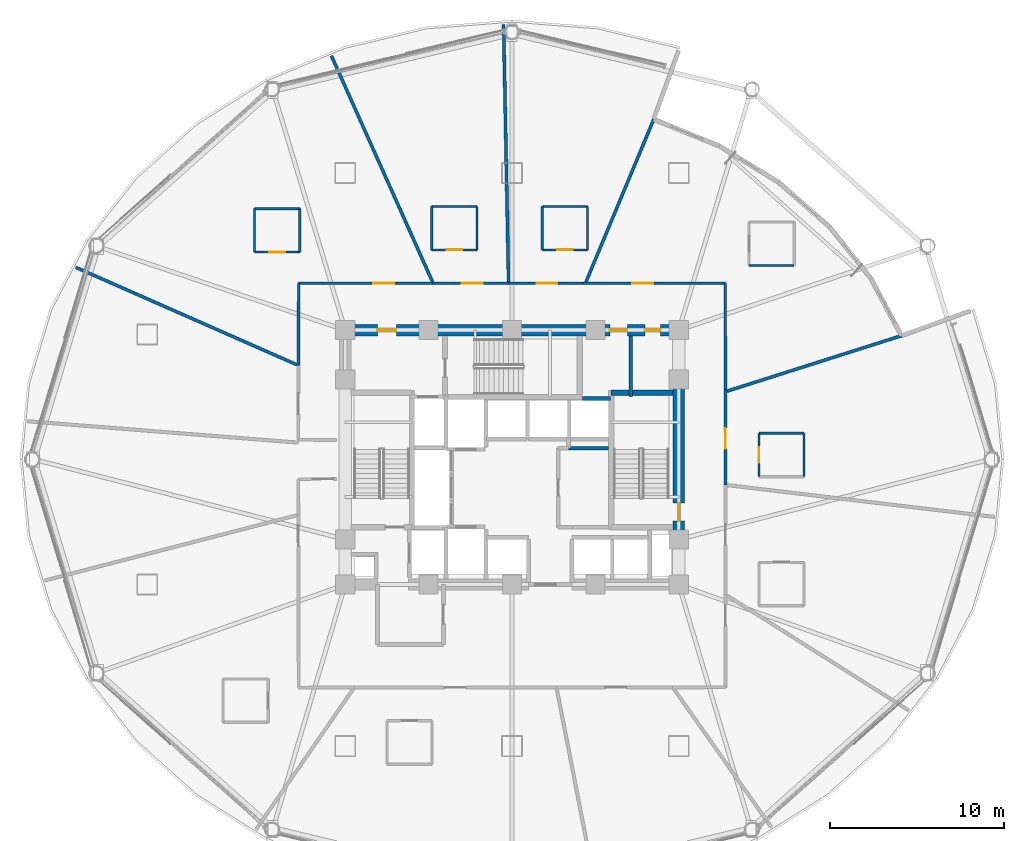
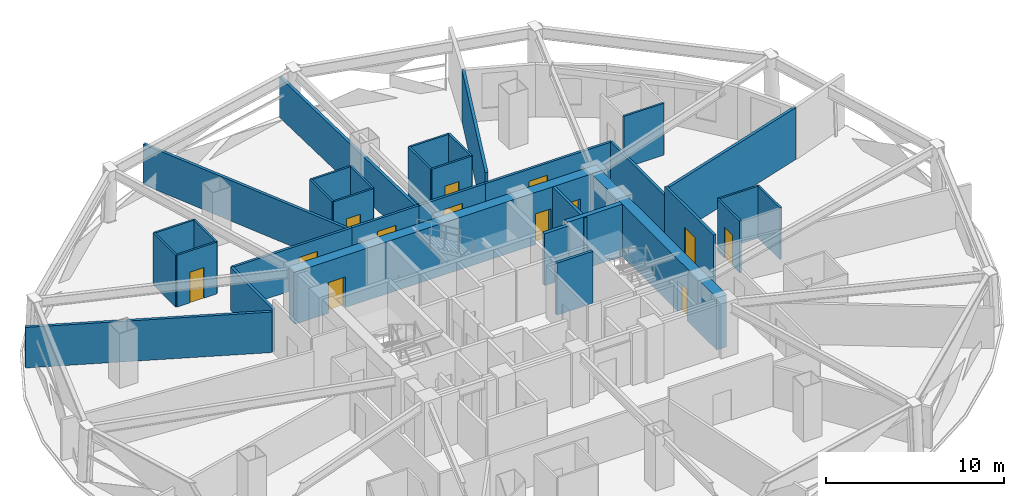
# One storey, part 10 of 16: 34 walls, 13 doors, 13 openings.
"""IFC4 building model written with IfcOpenShell, lengths in metres."""

from ifc_helpers import new_model, si_unit, direction, frame, frame_2d, origin, place, context, subcontext, project, spatial, rectangle, extrude, material, layer, layer_set, type_object, element, fill, save


model = new_model("IFC4")

# Units and contexts
model_context = context("Model", 3, precision=1e-05, world=origin(), true_north=direction((0.0, 1.0)))
body_context = subcontext(model_context, "Body", "Model", "MODEL_VIEW")
ifc_project = project(units=[si_unit("LENGTHUNIT", "METRE"), si_unit("AREAUNIT", "SQUARE_METRE"), si_unit("VOLUMEUNIT", "CUBIC_METRE"), si_unit("PLANEANGLEUNIT", "RADIAN"), si_unit("MASSUNIT", "GRAM", prefix="KILO")], contexts=[model_context])

# Site, building, storey
site_placement = place(None, origin())
site = spatial("IfcSite", under=ifc_project, at=site_placement, CompositionType="ELEMENT")
building_placement = place(site_placement, origin())
building = spatial("IfcBuilding", under=site, at=building_placement, Name="Vantalir Tower", CompositionType="ELEMENT")
storey_placement = place(building_placement, frame((0.0, 0.0, 75.75)))
storey = spatial("IfcBuildingStorey", under=building, at=storey_placement, Name="L18", CompositionType="ELEMENT", Elevation=75.75)

# Wall
ifc_material_1 = material(Name="Moisture-resistant en-suite partition", Category="gypsum")
ifc_layer_1 = layer(ifc_material_1, 0.125)
ifc_layer_set_1 = layer_set([ifc_layer_1], Name="Moisture-resistant en-suite partition")
wall_type_1 = type_object("IfcWallType", Name="WL-BATH-125", PredefinedType="PARTITIONING", material=ifc_layer_set_1)
wall_1_placement = place(storey_placement, frame((45.14892578125, 36.1669921875, 0.0), z_axis=(0.0, 0.0, 1.0), x_axis=(1.0, 0.0, 0.0)))
element("IfcWall", 1, at=wall_1_placement, inside=storey, type_object=wall_type_1, Name="L18 En-suite 01 South Wall", PredefinedType="PARTITIONING", context=body_context, shape_type="SweptSolid", body=[
    extrude(rectangle(XDim=2.60009765625, YDim=0.125, at=frame_2d((1.300048828125, 0.0))), origin(), (0.0, 0.0, 1.0), 3.550048828125),
])

# Wall, opening, door
wall_2_placement = place(storey_placement, frame((33.243896484375, 37.069091796875, 0.0), z_axis=(0.0, 0.0, 1.0), x_axis=(1.0, 0.0, 0.0)))
wall_2 = element("IfcWall", 2, at=wall_2_placement, inside=storey, type_object=wall_type_1, Name="L18 En-suite 02 South Wall", PredefinedType="PARTITIONING", context=body_context, shape_type="SweptSolid", body=[
    extrude(rectangle(XDim=2.60009765625, YDim=0.125, at=frame_2d((1.300048828125, 0.0))), origin(), (0.0, 0.0, 1.0), 3.550048828125),
])
opening_1_placement = place(wall_2_placement, frame((0.85009765625, 0.0, 0.0)))
opening_1 = element("IfcOpeningElement", 3, at=opening_1_placement, cuts=wall_2, Name="Opening D-WC", PredefinedType="OPENING", context=body_context, shape_type="SweptSolid", body=[
    extrude(rectangle(XDim=0.89990234375, YDim=2.10009765625, at=frame_2d((0.449951171875, 1.050048828125))), frame((0.0, 0.072509765625, 0.0), z_axis=(0.0, -1.0, 0.0), x_axis=(1.0, 0.0, 0.0)), (0.0, 0.0, 1.0), 0.14501953125),
])
ifc_material_2 = material(Name="Moisture-resistant hardwood door", Category="wood")
door_type_1 = type_object("IfcDoorType", Name="DR-ENSUITE-900", OperationType="NOTDEFINED", PredefinedType="DOOR", material=ifc_material_2)
door_1_placement = place(opening_1_placement, origin())
door_1 = element("IfcDoor", 4, at=door_1_placement, inside=storey, type_object=door_type_1, Name="L18 En-suite 02 Door", OperationType="SINGLE_SWING_LEFT", OverallHeight=2.10009765625, OverallWidth=0.89990234375, PredefinedType="DOOR", context=body_context, shape_type="SweptSolid", body=[
    extrude(rectangle(XDim=0.89990234375, YDim=2.10009765625, at=frame_2d((0.449951171875, 1.050048828125))), frame((0.0, 0.02490234375, 0.0), z_axis=(0.0, -1.0, 0.0), x_axis=(1.0, 0.0, 0.0)), (0.0, 0.0, 1.0), 0.050048828125),
])
fill(opening_1, door_1)

# Walls
wall_3_placement = place(storey_placement, frame((33.243896484375, 39.569091796875, 0.0), z_axis=(0.0, 0.0, 1.0), x_axis=(1.0, 0.0, 0.0)))
element("IfcWall", 5, at=wall_3_placement, inside=storey, type_object=wall_type_1, Name="L18 En-suite 02 North Wall", PredefinedType="PARTITIONING", context=body_context, shape_type="SweptSolid", body=[
    extrude(rectangle(XDim=2.60009765625, YDim=0.125, at=frame_2d((1.300048828125, 0.0))), origin(), (0.0, 0.0, 1.0), 3.550048828125),
])
for number, where, z_axis, x_axis, name in (
    (6, (33.243896484375, 37.069091796875, 0.0), (0.0, 0.0, 1.0), (0.0, 1.0, 0.0), "L18 En-suite 02 West Wall"),
    (7, (35.843994140625, 37.069091796875, 0.0), (0.0, 0.0, 1.0), (0.0, 1.0, 0.0), "L18 En-suite 02 East Wall"),
):
    element("IfcWall", number, at=place(storey_placement, frame(where, z_axis=z_axis, x_axis=x_axis)), inside=storey, type_object=wall_type_1, Name=name, PredefinedType="PARTITIONING", context=body_context, shape_type="SweptSolid", body=[
        extrude(rectangle(XDim=2.5, YDim=0.125, at=frame_2d((1.25, 0.0))), origin(), (0.0, 0.0, 1.0), 3.550048828125),
    ])

# Wall, opening, door
wall_4_placement = place(storey_placement, frame((26.8798828125, 37.069091796875, 0.0), z_axis=(0.0, 0.0, 1.0), x_axis=(1.0, 0.0, 0.0)))
wall_4 = element("IfcWall", 8, at=wall_4_placement, inside=storey, type_object=wall_type_1, Name="L18 En-suite 03 South Wall", PredefinedType="PARTITIONING", context=body_context, shape_type="SweptSolid", body=[
    extrude(rectangle(XDim=2.60009765625, YDim=0.125, at=frame_2d((1.300048828125, 0.0))), origin(), (0.0, 0.0, 1.0), 3.550048828125),
])
opening_2_placement = place(wall_4_placement, frame((0.85009765625, 0.0, 0.0)))
opening_2 = element("IfcOpeningElement", 9, at=opening_2_placement, cuts=wall_4, Name="Opening D-WC", PredefinedType="OPENING", context=body_context, shape_type="SweptSolid", body=[
    extrude(rectangle(XDim=0.89990234375, YDim=2.10009765625, at=frame_2d((0.449951171875, 1.050048828125))), frame((0.0, 0.072509765625, 0.0), z_axis=(0.0, -1.0, 0.0), x_axis=(1.0, 0.0, 0.0)), (0.0, 0.0, 1.0), 0.14501953125),
])
door_2_placement = place(opening_2_placement, origin())
door_2 = element("IfcDoor", 10, at=door_2_placement, inside=storey, type_object=door_type_1, Name="L18 En-suite 03 Door", OperationType="SINGLE_SWING_RIGHT", OverallHeight=2.10009765625, OverallWidth=0.89990234375, PredefinedType="DOOR", context=body_context, shape_type="SweptSolid", body=[
    extrude(rectangle(XDim=0.89990234375, YDim=2.10009765625, at=frame_2d((0.449951171875, 1.050048828125))), frame((0.0, 0.02490234375, 0.0), z_axis=(0.0, -1.0, 0.0), x_axis=(1.0, 0.0, 0.0)), (0.0, 0.0, 1.0), 0.050048828125),
])
fill(opening_2, door_2)

# Walls
wall_5_placement = place(storey_placement, frame((26.8798828125, 39.569091796875, 0.0), z_axis=(0.0, 0.0, 1.0), x_axis=(1.0, 0.0, 0.0)))
element("IfcWall", 11, at=wall_5_placement, inside=storey, type_object=wall_type_1, Name="L18 En-suite 03 North Wall", PredefinedType="PARTITIONING", context=body_context, shape_type="SweptSolid", body=[
    extrude(rectangle(XDim=2.60009765625, YDim=0.125, at=frame_2d((1.300048828125, 0.0))), origin(), (0.0, 0.0, 1.0), 3.550048828125),
])
for number, where, z_axis, x_axis, name in (
    (12, (26.8798828125, 37.069091796875, 0.0), (0.0, 0.0, 1.0), (0.0, 1.0, 0.0), "L18 En-suite 03 West Wall"),
    (13, (29.47998046875, 37.069091796875, 0.0), (0.0, 0.0, 1.0), (0.0, 1.0, 0.0), "L18 En-suite 03 East Wall"),
):
    element("IfcWall", number, at=place(storey_placement, frame(where, z_axis=z_axis, x_axis=x_axis)), inside=storey, type_object=wall_type_1, Name=name, PredefinedType="PARTITIONING", context=body_context, shape_type="SweptSolid", body=[
        extrude(rectangle(XDim=2.5, YDim=0.125, at=frame_2d((1.25, 0.0))), origin(), (0.0, 0.0, 1.0), 3.550048828125),
    ])

# Wall, opening, door
wall_6_placement = place(storey_placement, frame((16.681884765625, 36.93896484375, 0.0), z_axis=(0.0, 0.0, 1.0), x_axis=(1.0, 0.0, 0.0)))
wall_6 = element("IfcWall", 14, at=wall_6_placement, inside=storey, type_object=wall_type_1, Name="L18 En-suite 04 South Wall", PredefinedType="PARTITIONING", context=body_context, shape_type="SweptSolid", body=[
    extrude(rectangle(XDim=2.60009765625, YDim=0.125, at=frame_2d((1.300048828125, 0.0))), origin(), (0.0, 0.0, 1.0), 3.550048828125),
])
opening_3_placement = place(wall_6_placement, frame((0.85009765625, 0.0, 0.0)))
opening_3 = element("IfcOpeningElement", 15, at=opening_3_placement, cuts=wall_6, Name="Opening D-WC", PredefinedType="OPENING", context=body_context, shape_type="SweptSolid", body=[
    extrude(rectangle(XDim=0.89990234375, YDim=2.10009765625, at=frame_2d((0.449951171875, 1.050048828125))), frame((0.0, 0.072509765625, 0.0), z_axis=(0.0, -1.0, 0.0), x_axis=(1.0, 0.0, 0.0)), (0.0, 0.0, 1.0), 0.14501953125),
])
door_3_placement = place(opening_3_placement, origin())
door_3 = element("IfcDoor", 16, at=door_3_placement, inside=storey, type_object=door_type_1, Name="L18 En-suite 04 Door", OperationType="SINGLE_SWING_LEFT", OverallHeight=2.10009765625, OverallWidth=0.89990234375, PredefinedType="DOOR", context=body_context, shape_type="SweptSolid", body=[
    extrude(rectangle(XDim=0.89990234375, YDim=2.10009765625, at=frame_2d((0.449951171875, 1.050048828125))), frame((0.0, 0.02490234375, 0.0), z_axis=(0.0, -1.0, 0.0), x_axis=(1.0, 0.0, 0.0)), (0.0, 0.0, 1.0), 0.050048828125),
])
fill(opening_3, door_3)

# Walls
wall_7_placement = place(storey_placement, frame((16.681884765625, 39.43896484375, 0.0), z_axis=(0.0, 0.0, 1.0), x_axis=(1.0, 0.0, 0.0)))
element("IfcWall", 17, at=wall_7_placement, inside=storey, type_object=wall_type_1, Name="L18 En-suite 04 North Wall", PredefinedType="PARTITIONING", context=body_context, shape_type="SweptSolid", body=[
    extrude(rectangle(XDim=2.60009765625, YDim=0.125, at=frame_2d((1.300048828125, 0.0))), origin(), (0.0, 0.0, 1.0), 3.550048828125),
])
for number, where, z_axis, x_axis, name in (
    (18, (16.681884765625, 36.93896484375, 0.0), (0.0, 0.0, 1.0), (0.0, 1.0, 0.0), "L18 En-suite 04 West Wall"),
    (19, (19.281982421875, 36.93896484375, 0.0), (0.0, 0.0, 1.0), (0.0, 1.0, 0.0), "L18 En-suite 04 East Wall"),
):
    element("IfcWall", number, at=place(storey_placement, frame(where, z_axis=z_axis, x_axis=x_axis)), inside=storey, type_object=wall_type_1, Name=name, PredefinedType="PARTITIONING", context=body_context, shape_type="SweptSolid", body=[
        extrude(rectangle(XDim=2.5, YDim=0.125, at=frame_2d((1.25, 0.0))), origin(), (0.0, 0.0, 1.0), 3.550048828125),
    ])
wall_8_placement = place(storey_placement, frame((45.717041015625, 26.510986328125, 0.0), z_axis=(0.0, 0.0, 1.0), x_axis=(1.0, 0.0, 0.0)))
element("IfcWall", 20, at=wall_8_placement, inside=storey, type_object=wall_type_1, Name="L18 En-suite 12 North Wall", PredefinedType="PARTITIONING", context=body_context, shape_type="SweptSolid", body=[
    extrude(rectangle(XDim=2.599853515625, YDim=0.125, at=frame_2d((1.2998046875, 0.0))), origin(), (0.0, 0.0, 1.0), 3.550048828125),
])

# Wall, opening, door
wall_9_placement = place(storey_placement, frame((45.717041015625, 24.010986328125, 0.0), z_axis=(0.0, 0.0, 1.0), x_axis=(0.0, 1.0, 0.0)))
wall_9 = element("IfcWall", 21, at=wall_9_placement, inside=storey, type_object=wall_type_1, Name="L18 En-suite 12 West Wall", PredefinedType="PARTITIONING", context=body_context, shape_type="SweptSolid", body=[
    extrude(rectangle(XDim=2.5, YDim=0.125, at=frame_2d((1.25, 0.0))), origin(), (0.0, 0.0, 1.0), 3.550048828125),
])
opening_4_placement = place(wall_9_placement, frame((0.800048828125, 0.0, 0.0)))
opening_4 = element("IfcOpeningElement", 22, at=opening_4_placement, cuts=wall_9, Name="Opening D-WC", PredefinedType="OPENING", context=body_context, shape_type="SweptSolid", body=[
    extrude(rectangle(XDim=0.89990234375, YDim=2.10009765625, at=frame_2d((0.449951171875, 1.050048828125))), frame((0.0, 0.072509765625, 0.0), z_axis=(0.0, -1.0, 0.0), x_axis=(1.0, 0.0, 0.0)), (0.0, 0.0, 1.0), 0.14501953125),
])
door_4_placement = place(opening_4_placement, frame((0.89990234375, 0.0, 0.0), z_axis=(0.0, 0.0, 1.0), x_axis=(-1.0, 0.0, 0.0)))
door_4 = element("IfcDoor", 23, at=door_4_placement, inside=storey, type_object=door_type_1, Name="L18 En-suite 12 Door", OperationType="SINGLE_SWING_LEFT", OverallHeight=2.10009765625, OverallWidth=0.89990234375, PredefinedType="DOOR", context=body_context, shape_type="SweptSolid", body=[
    extrude(rectangle(XDim=0.89990234375, YDim=2.10009765625, at=frame_2d((0.449951171875, 1.050048828125))), frame((0.0, 0.02490234375, 0.0), z_axis=(0.0, -1.0, 0.0), x_axis=(1.0, 0.0, 0.0)), (0.0, 0.0, 1.0), 0.050048828125),
])
fill(opening_4, door_4)

# Wall
wall_10_placement = place(storey_placement, frame((48.31689453125, 24.010986328125, 0.0), z_axis=(0.0, 0.0, 1.0), x_axis=(0.0, 1.0, 0.0)))
element("IfcWall", 24, at=wall_10_placement, inside=storey, type_object=wall_type_1, Name="L18 En-suite 12 East Wall", PredefinedType="PARTITIONING", context=body_context, shape_type="SweptSolid", body=[
    extrude(rectangle(XDim=2.5, YDim=0.125, at=frame_2d((1.25, 0.0))), origin(), (0.0, 0.0, 1.0), 3.550048828125),
])

# Wall, openings, doors
ifc_material_3 = material(Name="Concrete C60/75", Category="concrete")
ifc_layer_2 = layer(ifc_material_3, 0.64990234375)
ifc_layer_set_2 = layer_set([ifc_layer_2], Name="Concrete C60/75")
wall_type_2 = type_object("IfcWallType", Name="WL-CORE-650", PredefinedType="SHEAR", material=ifc_layer_set_2)
wall_11_placement = place(storey_placement, frame((21.574951171875, 32.449951171875, 0.0), z_axis=(0.0, 0.0, 1.0), x_axis=(1.0, 0.0, 0.0)))
wall_11 = element("IfcWall", 25, at=wall_11_placement, inside=storey, type_object=wall_type_2, Name="L18 Core Shear Wall North", PredefinedType="SHEAR", context=body_context, shape_type="SweptSolid", body=[
    extrude(rectangle(XDim=19.85009765625, YDim=0.64990234375, at=frame_2d((9.925048828125, 0.0))), origin(), (0.0, 0.0, 1.0), 3.570068359375),
])
opening_5_placement = place(wall_11_placement, frame((2.175048828125, 0.0, 0.0)))
opening_5 = element("IfcOpeningElement", 26, at=opening_5_placement, cuts=wall_11, Name="Opening D-FFL", PredefinedType="OPENING", context=body_context, shape_type="SweptSolid", body=[
    extrude(rectangle(XDim=1.10009765625, YDim=2.10009765625, at=frame_2d((0.550048828125, 1.050048828125))), frame((0.0, 0.3349609375, 0.0), z_axis=(0.0, -1.0, 0.0), x_axis=(1.0, 0.0, 0.0)), (0.0, 0.0, 1.0), 0.669921875),
])
opening_6_placement = place(wall_11_placement, frame((15.56494140625, 0.0, 0.0)))
opening_6 = element("IfcOpeningElement", 27, at=opening_6_placement, cuts=wall_11, Name="Opening D-GUEST", PredefinedType="OPENING", context=body_context, shape_type="SweptSolid", body=[
    extrude(rectangle(XDim=1.0, YDim=2.10009765625, at=frame_2d((0.5, 1.050048828125))), frame((0.0, 0.3349609375, 0.0), z_axis=(0.0, -1.0, 0.0), x_axis=(1.0, 0.0, 0.0)), (0.0, 0.0, 1.0), 0.669921875),
])
opening_7_placement = place(wall_11_placement, frame((17.574951171875, 0.0, 0.0)))
opening_7 = element("IfcOpeningElement", 28, at=opening_7_placement, cuts=wall_11, Name="Opening D-CR", PredefinedType="OPENING", context=body_context, shape_type="SweptSolid", body=[
    extrude(rectangle(XDim=0.89990234375, YDim=2.10009765625, at=frame_2d((0.449951171875, 1.050048828125))), frame((0.0, 0.3349609375, 0.0), z_axis=(0.0, -1.0, 0.0), x_axis=(1.0, 0.0, 0.0)), (0.0, 0.0, 1.0), 0.669921875),
])
ifc_material_4 = material(Name="Fire-rated steel core service door", Category="steel")
door_type_2 = type_object("IfcDoorType", Name="DR-CORE-SERV-900", OperationType="NOTDEFINED", PredefinedType="DOOR", material=ifc_material_4)
door_5_placement = place(opening_7_placement, frame((0.89990234375, 0.0, 0.0), z_axis=(0.0, 0.0, 1.0), x_axis=(-1.0, 0.0, 0.0)))
door_5 = element("IfcDoor", 29, at=door_5_placement, inside=storey, type_object=door_type_2, Name="L18 Housekeeping and Linen Room Door", OperationType="SINGLE_SWING_RIGHT", OverallHeight=2.10009765625, OverallWidth=0.89990234375, PredefinedType="DOOR", context=body_context, shape_type="SweptSolid", body=[
    extrude(rectangle(XDim=0.89990234375, YDim=2.10009765625, at=frame_2d((0.449951171875, 1.050048828125))), frame((0.0, 0.02490234375, 0.0), z_axis=(0.0, -1.0, 0.0), x_axis=(1.0, 0.0, 0.0)), (0.0, 0.0, 1.0), 0.050048828125),
])
fill(opening_7, door_5)
ifc_material_5 = material(Name="Fire-rated acoustic steel door", Category="steel")
door_type_3 = type_object("IfcDoorType", Name="DR-FIRE-LOBBY-1100", OperationType="NOTDEFINED", PredefinedType="DOOR", material=ifc_material_5)
door_6_placement = place(opening_5_placement, frame((1.10009765625, 0.0, 0.0), z_axis=(0.0, 0.0, 1.0), x_axis=(-1.0, 0.0, 0.0)))
door_6 = element("IfcDoor", 30, at=door_6_placement, inside=storey, type_object=door_type_3, Name="L18 Firefighting Lobby East Access Door", OperationType="SINGLE_SWING_RIGHT", OverallHeight=2.10009765625, OverallWidth=1.10009765625, PredefinedType="DOOR", context=body_context, shape_type="SweptSolid", body=[
    extrude(rectangle(XDim=1.10009765625, YDim=2.10009765625, at=frame_2d((0.550048828125, 1.050048828125))), frame((0.0, 0.02490234375, 0.0), z_axis=(0.0, -1.0, 0.0), x_axis=(1.0, 0.0, 0.0)), (0.0, 0.0, 1.0), 0.050048828125),
])
fill(opening_5, door_6)
ifc_material_6 = material(Name="Solid-core teak veneer acoustic fire door", Category="wood")
door_type_4 = type_object("IfcDoorType", Name="DR-GUEST-ENTRY-1000", OperationType="NOTDEFINED", PredefinedType="DOOR", material=ifc_material_6)
door_7_placement = place(opening_6_placement, frame((1.0, 0.0, 0.0), z_axis=(0.0, 0.0, 1.0), x_axis=(-1.0, 0.0, 0.0)))
door_7 = element("IfcDoor", 31, at=door_7_placement, inside=storey, type_object=door_type_4, Name="L18 High-Rise Lift Lobby Door", OperationType="SINGLE_SWING_LEFT", OverallHeight=2.10009765625, OverallWidth=1.0, PredefinedType="DOOR", context=body_context, shape_type="SweptSolid", body=[
    extrude(rectangle(XDim=1.0, YDim=2.10009765625, at=frame_2d((0.5, 1.050048828125))), frame((0.0, 0.02490234375, 0.0), z_axis=(0.0, -1.0, 0.0), x_axis=(1.0, 0.0, 0.0)), (0.0, 0.0, 1.0), 0.050048828125),
])
fill(opening_6, door_7)

# Wall, opening, door
wall_12_placement = place(storey_placement, frame((41.10009765625, 18.125, 0.0), z_axis=(0.0, 0.0, 1.0), x_axis=(0.0, 1.0, 0.0)))
wall_12 = element("IfcWall", 32, at=wall_12_placement, inside=storey, type_object=wall_type_2, Name="L18 Core Shear Wall East", PredefinedType="SHEAR", context=body_context, shape_type="SweptSolid", body=[
    extrude(rectangle(XDim=14.0, YDim=0.64990234375, at=frame_2d((7.0, 0.0))), origin(), (0.0, 0.0, 1.0), 3.570068359375),
])
opening_8_placement = place(wall_12_placement, frame((3.3349609375, 0.0, 0.0)))
opening_8 = element("IfcOpeningElement", 33, at=opening_8_placement, cuts=wall_12, Name="Opening D-ST", PredefinedType="OPENING", context=body_context, shape_type="SweptSolid", body=[
    extrude(rectangle(XDim=1.050048828125, YDim=2.10009765625, at=frame_2d((0.52490234375, 1.050048828125))), frame((0.0, 0.3349609375, 0.0), z_axis=(0.0, -1.0, 0.0), x_axis=(1.0, 0.0, 0.0)), (0.0, 0.0, 1.0), 0.669921875),
])
ifc_material_7 = material(Name="Fire-rated steel door leaf", Category="steel")
door_type_5 = type_object("IfcDoorType", Name="DR-FIRE-STAIR-1050", OperationType="NOTDEFINED", PredefinedType="DOOR", material=ifc_material_7)
door_8_placement = place(opening_8_placement, origin())
door_8 = element("IfcDoor", 34, at=door_8_placement, inside=storey, type_object=door_type_5, Name="L18 Exit Stair ST2 Fire Door", OperationType="SINGLE_SWING_LEFT", OverallHeight=2.10009765625, OverallWidth=1.050048828125, PredefinedType="DOOR", context=body_context, shape_type="SweptSolid", body=[
    extrude(rectangle(XDim=1.050048828125, YDim=2.10009765625, at=frame_2d((0.52490234375, 1.050048828125))), frame((0.0, 0.02490234375, 0.0), z_axis=(0.0, -1.0, 0.0), x_axis=(1.0, 0.0, 0.0)), (0.0, 0.0, 1.0), 0.050048828125),
])
fill(opening_8, door_8)

# Wall
ifc_material_8 = material(Name="Fire-rated hotel corridor acoustic partition", Category="gypsum")
ifc_layer_3 = layer(ifc_material_8, 0.159912109375)
ifc_layer_set_3 = layer_set([ifc_layer_3], Name="Fire-rated hotel corridor acoustic partition")
wall_type_3 = type_object("IfcWallType", Name="WL-CORR-160", PredefinedType="PARTITIONING", material=ifc_layer_set_3)
wall_13_placement = place(storey_placement, frame((19.2080078125, 30.4150390625, 0.0), z_axis=(0.0, 0.0, 1.0), x_axis=(0.002321256513, 0.99999730588, 0.0)))
element("IfcWall", 35, at=wall_13_placement, inside=storey, type_object=wall_type_3, Name="L18 Corridor Partition 03", PredefinedType="PARTITIONING", context=body_context, shape_type="SweptSolid", body=[
    extrude(rectangle(XDim=4.73291015625, YDim=0.159912109375, at=frame_2d((2.366455078125, 0.0))), origin(), (0.0, 0.0, 1.0), 2.927978515625),
])

# Wall, opening, door
wall_14_placement = place(storey_placement, frame((19.218994140625, 35.14794921875, 0.0), z_axis=(0.0, 0.0, 1.0), x_axis=(1.0, 0.0, 0.0)))
wall_14 = element("IfcWall", 36, at=wall_14_placement, inside=storey, type_object=wall_type_3, Name="L18 Corridor Partition 04", PredefinedType="PARTITIONING", context=body_context, shape_type="SweptSolid", body=[
    extrude(rectangle(XDim=7.740966796875, YDim=0.159912109375, at=frame_2d((3.87060546875, 0.0))), origin(), (0.0, 0.0, 1.0), 2.927978515625),
])
opening_9_placement = place(wall_14_placement, frame((4.306884765625, 0.0, 0.0)))
opening_9 = element("IfcOpeningElement", 37, at=opening_9_placement, cuts=wall_14, Name="Opening D-STE", PredefinedType="OPENING", context=body_context, shape_type="SweptSolid", body=[
    extrude(rectangle(XDim=1.199951171875, YDim=2.10009765625, at=frame_2d((0.60009765625, 1.050048828125))), frame((0.0, 0.08984375, 0.0), z_axis=(0.0, -1.0, 0.0), x_axis=(1.0, 0.0, 0.0)), (0.0, 0.0, 1.0), 0.179931640625),
])
ifc_material_9 = material(Name="Solid-core teak veneer suite entrance door", Category="wood")
door_type_6 = type_object("IfcDoorType", Name="DR-SUITE-ENTRY-1200", OperationType="NOTDEFINED", PredefinedType="DOOR", material=ifc_material_9)
door_9_placement = place(opening_9_placement, origin())
door_9 = element("IfcDoor", 38, at=door_9_placement, inside=storey, type_object=door_type_6, Name="L18 Executive Club Hotel Suite 04 Door", OperationType="SINGLE_SWING_RIGHT", OverallHeight=2.10009765625, OverallWidth=1.199951171875, PredefinedType="DOOR", context=body_context, shape_type="SweptSolid", body=[
    extrude(rectangle(XDim=1.199951171875, YDim=2.10009765625, at=frame_2d((0.60009765625, 1.050048828125))), frame((0.0, 0.02490234375, 0.0), z_axis=(0.0, -1.0, 0.0), x_axis=(1.0, 0.0, 0.0)), (0.0, 0.0, 1.0), 0.050048828125),
])
fill(opening_9, door_9)

wall_15_placement = place(storey_placement, frame((26.9599609375, 35.14794921875, 0.0), z_axis=(0.0, 0.0, 1.0), x_axis=(1.0, 0.0, 0.0)))
wall_15 = element("IfcWall", 39, at=wall_15_placement, inside=storey, type_object=wall_type_3, Name="L18 Corridor Partition 05", PredefinedType="PARTITIONING", context=body_context, shape_type="SweptSolid", body=[
    extrude(rectangle(XDim=4.343994140625, YDim=0.159912109375, at=frame_2d((2.171875, 0.0))), origin(), (0.0, 0.0, 1.0), 2.927978515625),
])
opening_10_placement = place(wall_15_placement, frame((1.64599609375, 0.0, 0.0)))
opening_10 = element("IfcOpeningElement", 40, at=opening_10_placement, cuts=wall_15, Name="Opening D-STE", PredefinedType="OPENING", context=body_context, shape_type="SweptSolid", body=[
    extrude(rectangle(XDim=1.199951171875, YDim=2.10009765625, at=frame_2d((0.60009765625, 1.050048828125))), frame((0.0, 0.08984375, 0.0), z_axis=(0.0, -1.0, 0.0), x_axis=(1.0, 0.0, 0.0)), (0.0, 0.0, 1.0), 0.179931640625),
])
door_10_placement = place(opening_10_placement, origin())
door_10 = element("IfcDoor", 41, at=door_10_placement, inside=storey, type_object=door_type_6, Name="L18 Executive Club Hotel Suite 03 Door", OperationType="SINGLE_SWING_LEFT", OverallHeight=2.10009765625, OverallWidth=1.199951171875, PredefinedType="DOOR", context=body_context, shape_type="SweptSolid", body=[
    extrude(rectangle(XDim=1.199951171875, YDim=2.10009765625, at=frame_2d((0.60009765625, 1.050048828125))), frame((0.0, 0.02490234375, 0.0), z_axis=(0.0, -1.0, 0.0), x_axis=(1.0, 0.0, 0.0)), (0.0, 0.0, 1.0), 0.050048828125),
])
fill(opening_10, door_10)

wall_16_placement = place(storey_placement, frame((31.303955078125, 35.14794921875, 0.0), z_axis=(0.0, 0.0, 1.0), x_axis=(1.0, 0.0, 0.0)))
wall_16 = element("IfcWall", 42, at=wall_16_placement, inside=storey, type_object=wall_type_3, Name="L18 Corridor Partition 06", PredefinedType="PARTITIONING", context=body_context, shape_type="SweptSolid", body=[
    extrude(rectangle(XDim=4.28515625, YDim=0.159912109375, at=frame_2d((2.142578125, 0.0))), origin(), (0.0, 0.0, 1.0), 2.927978515625),
])
opening_11_placement = place(wall_16_placement, frame((1.614990234375, 0.0, 0.0)))
opening_11 = element("IfcOpeningElement", 43, at=opening_11_placement, cuts=wall_16, Name="Opening D-STE", PredefinedType="OPENING", context=body_context, shape_type="SweptSolid", body=[
    extrude(rectangle(XDim=1.199951171875, YDim=2.10009765625, at=frame_2d((0.60009765625, 1.050048828125))), frame((0.0, 0.08984375, 0.0), z_axis=(0.0, -1.0, 0.0), x_axis=(1.0, 0.0, 0.0)), (0.0, 0.0, 1.0), 0.179931640625),
])
door_11_placement = place(opening_11_placement, origin())
door_11 = element("IfcDoor", 44, at=door_11_placement, inside=storey, type_object=door_type_6, Name="L18 Corner Panorama Hotel Suite 02 Door", OperationType="SINGLE_SWING_RIGHT", OverallHeight=2.10009765625, OverallWidth=1.199951171875, PredefinedType="DOOR", context=body_context, shape_type="SweptSolid", body=[
    extrude(rectangle(XDim=1.199951171875, YDim=2.10009765625, at=frame_2d((0.60009765625, 1.050048828125))), frame((0.0, 0.02490234375, 0.0), z_axis=(0.0, -1.0, 0.0), x_axis=(1.0, 0.0, 0.0)), (0.0, 0.0, 1.0), 0.050048828125),
])
fill(opening_11, door_11)

wall_17_placement = place(storey_placement, frame((35.589111328125, 35.14794921875, 0.0), z_axis=(0.0, 0.0, 1.0), x_axis=(1.0, 0.0, 0.0)))
wall_17 = element("IfcWall", 45, at=wall_17_placement, inside=storey, type_object=wall_type_3, Name="L18 Corridor Partition 07", PredefinedType="PARTITIONING", context=body_context, shape_type="SweptSolid", body=[
    extrude(rectangle(XDim=8.19189453125, YDim=0.159912109375, at=frame_2d((4.095947265625, 0.0))), origin(), (0.0, 0.0, 1.0), 2.927978515625),
])
opening_12_placement = place(wall_17_placement, frame((2.8291015625, 0.0, 0.0)))
opening_12 = element("IfcOpeningElement", 46, at=opening_12_placement, cuts=wall_17, Name="Opening D-STE", PredefinedType="OPENING", context=body_context, shape_type="SweptSolid", body=[
    extrude(rectangle(XDim=1.199951171875, YDim=2.10009765625, at=frame_2d((0.60009765625, 1.050048828125))), frame((0.0, 0.08984375, 0.0), z_axis=(0.0, -1.0, 0.0), x_axis=(1.0, 0.0, 0.0)), (0.0, 0.0, 1.0), 0.179931640625),
])
door_12_placement = place(opening_12_placement, origin())
door_12 = element("IfcDoor", 47, at=door_12_placement, inside=storey, type_object=door_type_6, Name="L18 Corner Panorama Hotel Suite 01 Door", OperationType="SINGLE_SWING_LEFT", OverallHeight=2.10009765625, OverallWidth=1.199951171875, PredefinedType="DOOR", context=body_context, shape_type="SweptSolid", body=[
    extrude(rectangle(XDim=1.199951171875, YDim=2.10009765625, at=frame_2d((0.60009765625, 1.050048828125))), frame((0.0, 0.02490234375, 0.0), z_axis=(0.0, -1.0, 0.0), x_axis=(1.0, 0.0, 0.0)), (0.0, 0.0, 1.0), 0.050048828125),
])
fill(opening_12, door_12)

# Wall
wall_18_placement = place(storey_placement, frame((43.781005859375, 35.14794921875, 0.0), z_axis=(0.0, 0.0, 1.0), x_axis=(0.000799296364, -0.999999680563, 0.0)))
element("IfcWall", 48, at=wall_18_placement, inside=storey, type_object=wall_type_3, Name="L18 Corridor Partition 08", PredefinedType="PARTITIONING", context=body_context, shape_type="SweptSolid", body=[
    extrude(rectangle(XDim=6.10888671875, YDim=0.159912109375, at=frame_2d((3.054443359375, 0.0))), origin(), (0.0, 0.0, 1.0), 2.927978515625),
])

# Wall, opening, door
wall_19_placement = place(storey_placement, frame((43.785888671875, 29.0390625, 0.0), z_axis=(0.0, 0.0, 1.0), x_axis=(0.000754616262, -0.999999715277, 0.0)))
wall_19 = element("IfcWall", 49, at=wall_19_placement, inside=storey, type_object=wall_type_3, Name="L18 Corridor Partition 09", PredefinedType="PARTITIONING", context=body_context, shape_type="SweptSolid", body=[
    extrude(rectangle(XDim=5.5, YDim=0.159912109375, at=frame_2d((2.75, 0.0))), origin(), (0.0, 0.0, 1.0), 3.550048828125),
])
opening_13_placement = place(wall_19_placement, frame((2.22412109375, 0.0, 0.0)))
opening_13 = element("IfcOpeningElement", 50, at=opening_13_placement, cuts=wall_19, Name="Opening D-STE", PredefinedType="OPENING", context=body_context, shape_type="SweptSolid", body=[
    extrude(rectangle(XDim=1.199951171875, YDim=2.10009765625, at=frame_2d((0.60009765625, 1.050048828125))), frame((0.0, 0.08984375, 0.0), z_axis=(0.0, -1.0, 0.0), x_axis=(1.0, 0.0, 0.0)), (0.0, 0.0, 1.0), 0.179931640625),
])
door_13_placement = place(opening_13_placement, origin())
door_13 = element("IfcDoor", 51, at=door_13_placement, inside=storey, type_object=door_type_6, Name="L18 Corner Panorama Hotel Suite 12 Door", OperationType="SINGLE_SWING_RIGHT", OverallHeight=2.10009765625, OverallWidth=1.199951171875, PredefinedType="DOOR", context=body_context, shape_type="SweptSolid", body=[
    extrude(rectangle(XDim=1.199951171875, YDim=2.10009765625, at=frame_2d((0.60009765625, 1.050048828125))), frame((0.0, 0.02490234375, 0.0), z_axis=(0.0, -1.0, 0.0), x_axis=(1.0, 0.0, 0.0)), (0.0, 0.0, 1.0), 0.050048828125),
])
fill(opening_13, door_13)

# Walls
ifc_material_10 = material(Name="Concrete blockwork with fireboard lining", Category="masonry")
ifc_layer_4 = layer(ifc_material_10, 0.219970703125)
ifc_layer_set_4 = layer_set([ifc_layer_4], Name="Concrete blockwork with fireboard lining")
wall_type_4 = type_object("IfcWallType", Name="WL-FFL-220", PredefinedType="PARTITIONING", material=ifc_layer_set_4)
wall_20_placement = place(storey_placement, frame((35.56005859375, 28.510009765625, 0.0), z_axis=(0.0, 0.0, 1.0), x_axis=(1.0, 0.0, 0.0)))
element("IfcWall", 52, at=wall_20_placement, inside=storey, type_object=wall_type_4, Name="L18 Lift PL-H3 Shaft Front Wall", PredefinedType="PARTITIONING", context=body_context, shape_type="SweptSolid", body=[
    extrude(rectangle(XDim=1.599853515625, YDim=0.219970703125, at=frame_2d((0.7998046875, 0.0))), origin(), (0.0, 0.0, 1.0), 3.550048828125),
])
ifc_material_11 = material(Name="Twin-stud acoustic fire-rated gypsum partition", Category="gypsum")
ifc_layer_5 = layer(ifc_material_11, 0.179931640625)
ifc_layer_set_5 = layer_set([ifc_layer_5], Name="Twin-stud acoustic fire-rated gypsum partition")
wall_type_5 = type_object("IfcWallType", Name="WL-GUEST-180", PredefinedType="PARTITIONING", material=ifc_layer_set_5)
wall_21_placement = place(storey_placement, frame((34.719970703125, 25.64990234375, 0.0), z_axis=(0.0, 0.0, 1.0), x_axis=(1.0, 0.0, 0.0)))
element("IfcWall", 53, at=wall_21_placement, inside=storey, type_object=wall_type_5, Name="L18 Freed East Core North Wall", PredefinedType="PARTITIONING", context=body_context, shape_type="SweptSolid", body=[
    extrude(rectangle(XDim=2.340087890625, YDim=0.179931640625, at=frame_2d((1.169921875, 0.0))), origin(), (0.0, 0.0, 1.0), 3.550048828125),
])
wall_22_placement = place(storey_placement, frame((38.340087890625, 28.6201171875, 0.0), z_axis=(0.0, 0.0, 1.0), x_axis=(0.0, 1.0, 0.0)))
element("IfcWall", 54, at=wall_22_placement, inside=storey, type_object=wall_type_5, Name="L18 High-Rise Lift Lobby East Wall", PredefinedType="PARTITIONING", context=body_context, shape_type="SweptSolid", body=[
    extrude(rectangle(XDim=3.5048828125, YDim=0.179931640625, at=frame_2d((1.75244140625, 0.0))), origin(), (0.0, 0.0, 1.0), 3.550048828125),
])
wall_23_placement = place(storey_placement, frame((43.8779296875, 28.93408203125, 0.0), z_axis=(0.0, 0.0, 1.0), x_axis=(0.95299755794, 0.302977977021, 0.0)))
element("IfcWall", 55, at=wall_23_placement, inside=storey, type_object=wall_type_5, Name="L18 Radial Suite Partition 01", PredefinedType="PARTITIONING", context=body_context, shape_type="SweptSolid", body=[
    extrude(rectangle(XDim=10.538330078125, YDim=0.179931640625, at=frame_2d((5.26904296875, 0.0))), origin(), (0.0, 0.0, 1.0), 3.550048828125),
])
wall_24_placement = place(storey_placement, frame((35.761962890625, 35.22802734375, 0.0), z_axis=(0.0, 0.0, 1.0), x_axis=(0.384735124205, 0.923027022466, 0.0)))
element("IfcWall", 56, at=wall_24_placement, inside=storey, type_object=wall_type_5, Name="L18 Radial Suite Partition 02", PredefinedType="PARTITIONING", context=body_context, shape_type="SweptSolid", body=[
    extrude(rectangle(XDim=10.134033203125, YDim=0.179931640625, at=frame_2d((5.06689453125, 0.0))), origin(), (0.0, 0.0, 1.0), 3.550048828125),
])
wall_25_placement = place(storey_placement, frame((31.302001953125, 35.22802734375, 0.0), z_axis=(0.0, 0.0, 1.0), x_axis=(-0.019296271402, 0.999813809622, 0.0)))
element("IfcWall", 57, at=wall_25_placement, inside=storey, type_object=wall_type_5, Name="L18 Radial Suite Partition 03", PredefinedType="PARTITIONING", context=body_context, shape_type="SweptSolid", body=[
    extrude(rectangle(XDim=14.815673828125, YDim=0.179931640625, at=frame_2d((7.40771484375, 0.0))), origin(), (0.0, 0.0, 1.0), 2.77490234375),
])
wall_26_placement = place(storey_placement, frame((26.925048828125, 35.22802734375, 0.0), z_axis=(0.0, 0.0, 1.0), x_axis=(-0.4083604268, 0.912820772016, 0.0)))
element("IfcWall", 58, at=wall_26_placement, inside=storey, type_object=wall_type_5, Name="L18 Radial Suite Partition 04", PredefinedType="PARTITIONING", context=body_context, shape_type="SweptSolid", body=[
    extrude(rectangle(XDim=14.254638671875, YDim=0.179931640625, at=frame_2d((7.12744140625, 0.0))), origin(), (0.0, 0.0, 1.0), 2.77490234375),
])
wall_27_placement = place(storey_placement, frame((19.123046875, 30.452880859375, 0.0), z_axis=(0.0, 0.0, 1.0), x_axis=(-0.915167724462, 0.403073239131, 0.0)))
element("IfcWall", 59, at=wall_27_placement, inside=storey, type_object=wall_type_5, Name="L18 Radial Suite Partition 05", PredefinedType="PARTITIONING", context=body_context, shape_type="SweptSolid", body=[
    extrude(rectangle(XDim=13.9111328125, YDim=0.179931640625, at=frame_2d((6.95556640625, 0.0))), origin(), (0.0, 0.0, 1.0), 2.77490234375),
])
ifc_material_12 = material(Name="Concrete C50/60", Category="concrete")
ifc_layer_6 = layer(ifc_material_12, 0.300048828125)
ifc_layer_set_6 = layer_set([ifc_layer_6], Name="Concrete C50/60")
wall_type_6 = type_object("IfcWallType", Name="WL-STAIR-300", PredefinedType="SHEAR", material=ifc_layer_set_6)
wall_28_placement = place(storey_placement, frame((37.2099609375, 28.85009765625, 0.0), z_axis=(0.0, 0.0, 1.0), x_axis=(1.0, 0.0, 0.0)))
element("IfcWall", 60, at=wall_28_placement, inside=storey, type_object=wall_type_6, Name="L18 Stair ST2 North Wall", PredefinedType="SHEAR", context=body_context, shape_type="SweptSolid", body=[
    extrude(rectangle(XDim=3.56494140625, YDim=0.300048828125, at=frame_2d((1.782470703125, 0.0))), origin(), (0.0, 0.0, 1.0), 3.570068359375),
])

save(model, "model.ifc")
